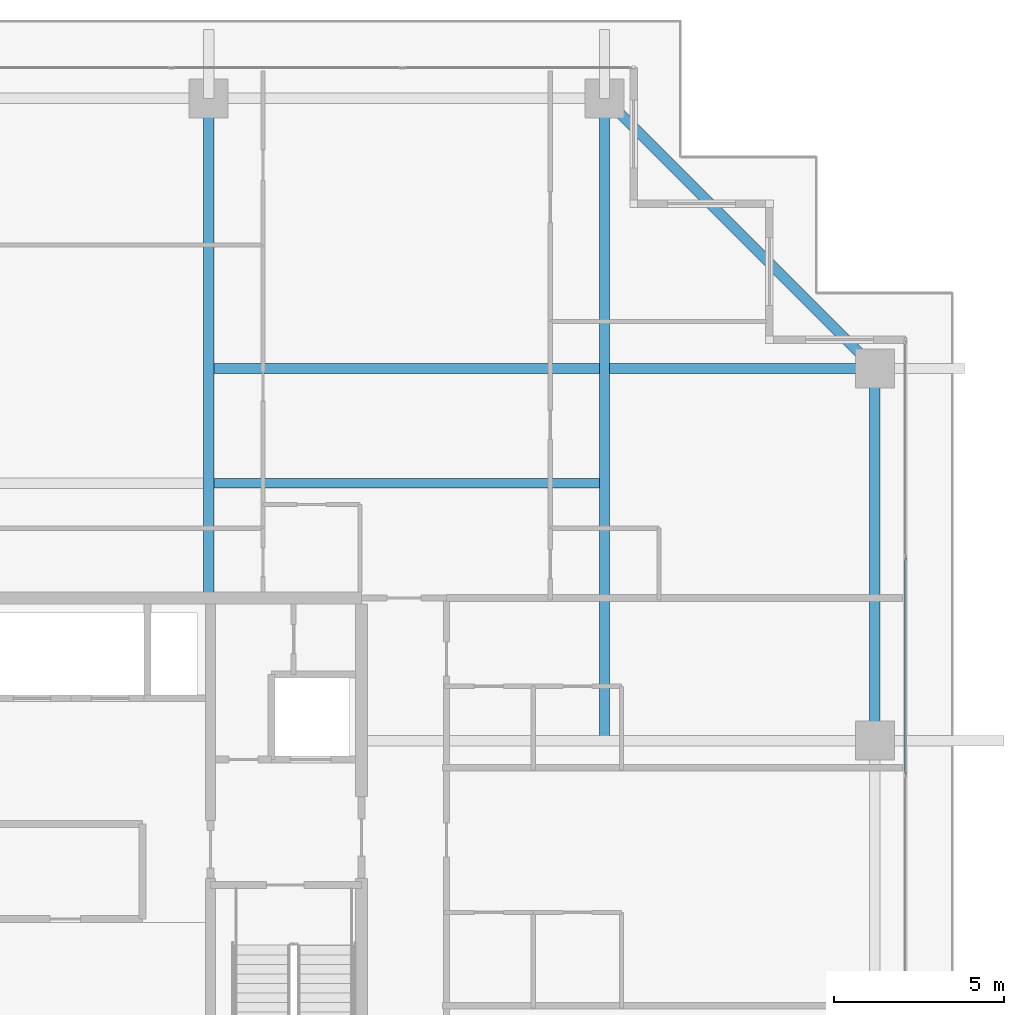
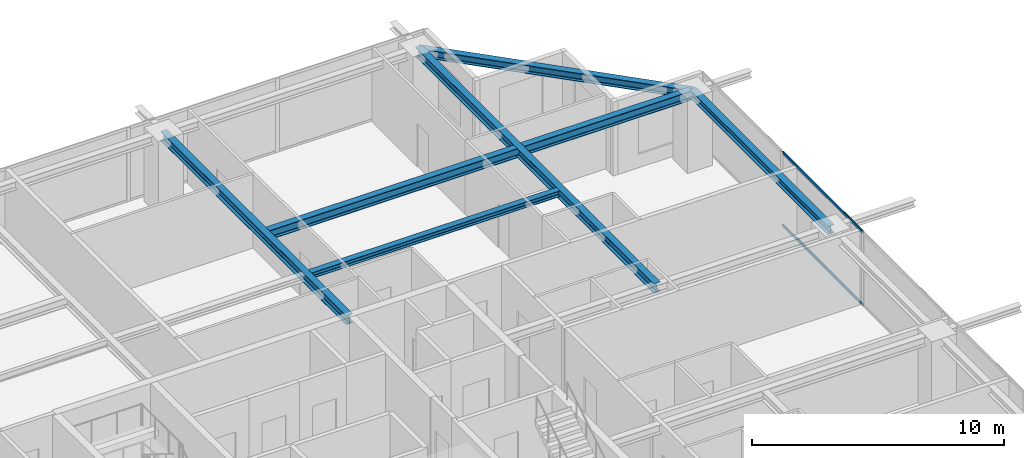
# One storey, part 21 of 36: 6 beams, 2 members, 1 element without a shape of its own.
"""IFC4 building model written with IfcOpenShell, lengths in metres."""

from ifc_helpers import new_model, si_unit, direction, frame, origin, origin_2d, place, context, subcontext, project, spatial, hollow_rectangle, i_section, extrude, source, transform, mapped, material, layer, layer_set, material_profile, profile_set, type_object, element, aggregate, save


model = new_model("IFC4")

# Units and contexts
model_context = context("Model", 3, precision=1e-05, world=origin(), true_north=direction((0.0, 1.0)))
body_context = subcontext(model_context, "Body", "Model", "MODEL_VIEW")
ifc_project = project(units=[si_unit("LENGTHUNIT", "METRE"), si_unit("AREAUNIT", "SQUARE_METRE"), si_unit("VOLUMEUNIT", "CUBIC_METRE"), si_unit("PLANEANGLEUNIT", "RADIAN"), si_unit("MASSUNIT", "GRAM", prefix="KILO")], contexts=[model_context])

# Site, building, storey
site_placement = place(None, origin())
site = spatial("IfcSite", under=ifc_project, at=site_placement, CompositionType="ELEMENT")
building_placement = place(site_placement, origin())
building = spatial("IfcBuilding", under=site, at=building_placement, Name="Serunith Strait Residences", CompositionType="ELEMENT")
storey_placement = place(building_placement, frame((0.0, 0.0, 256.64990234375)))
storey = spatial("IfcBuildingStorey", under=building, at=storey_placement, Name="L64", CompositionType="ELEMENT", Elevation=256.64990234375)

# Beams
ifc_material_1 = material(Name="Steel S355J2", Category="steel")
ifc_material_profile_1 = material_profile(ifc_material_1, i_section(OverallWidth=0.300048828125, OverallDepth=0.449951171875, WebThickness=0.013916015625, FlangeThickness=0.02587890625, FilletRadius=0.027099609375, at=origin_2d()), Name="HEB 450")
ifc_profile_set_1 = profile_set([ifc_material_profile_1], Name="Steel S355J2")
beam_type_1 = type_object("IfcBeamType", Name="BM-HEB450", PredefinedType="BEAM", material=ifc_profile_set_1)
shared_shape_1 = source(origin(), body_context, "Body", "SweptSolid", [
    extrude(i_section(OverallWidth=0.300048828125, OverallDepth=0.449951171875, WebThickness=0.013916015625, FlangeThickness=0.02587890625, FilletRadius=0.027099609375, at=origin_2d()), origin(), (0.0, 0.0, 1.0), 14.699951171875),
])
beam_1_placement = place(storey_placement, frame((36.89990234375, 33.60009765625, 3.362060546875), z_axis=(0.0, 1.0, 0.0), x_axis=(-1.0, 0.0, 0.0)))
element("IfcBeam", 1, at=beam_1_placement, inside=storey, type_object=beam_type_1, Name="L64 Primary Floor Girder TC-N3", PredefinedType="BEAM", context=body_context, shape_type="MappedRepresentation", body=[
    mapped(shared_shape_1, transform((0.0, 0.0, 0.0), scale=1.0)),
])
shared_shape_2 = source(origin(), body_context, "Body", "SweptSolid", [
    extrude(i_section(OverallWidth=0.300048828125, OverallDepth=0.449951171875, WebThickness=0.013916015625, FlangeThickness=0.02587890625, FilletRadius=0.027099609375, at=origin_2d()), origin(), (0.0, 0.0, 1.0), 18.900146484375),
])
beam_2_placement = place(storey_placement, frame((48.550048828125, 29.39990234375, 3.362060546875), z_axis=(0.0, 1.0, 0.0), x_axis=(-1.0, 0.0, 0.0)))
element("IfcBeam", 2, at=beam_2_placement, inside=storey, type_object=beam_type_1, Name="L64 Orthogonal Corner Girder TC-N4", PredefinedType="BEAM", context=body_context, shape_type="MappedRepresentation", body=[
    mapped(shared_shape_2, transform((0.0, 0.0, 0.0), scale=1.0)),
])
shared_shape_3 = source(origin(), body_context, "Body", "SweptSolid", [
    extrude(i_section(OverallWidth=0.300048828125, OverallDepth=0.449951171875, WebThickness=0.013916015625, FlangeThickness=0.02587890625, FilletRadius=0.027099609375, at=origin_2d()), origin(), (0.0, 0.0, 1.0), 19.60009765625),
])
beam_3_placement = place(storey_placement, frame((36.89990234375, 40.35009765625, 3.362060546875), z_axis=(1.0, 0.0, 0.0), x_axis=(0.0, 1.0, 0.0)))
element("IfcBeam", 3, at=beam_3_placement, inside=storey, type_object=beam_type_1, Name="L64 Orthogonal Corner Girder TC-E4", PredefinedType="BEAM", context=body_context, shape_type="MappedRepresentation", body=[
    mapped(shared_shape_3, transform((0.0, 0.0, 0.0), scale=1.0)),
])
ifc_material_profile_2 = material_profile(ifc_material_1, i_section(OverallWidth=0.300048828125, OverallDepth=0.39990234375, WebThickness=0.013427734375, FlangeThickness=0.02392578125, FilletRadius=0.027099609375, at=origin_2d()), Name="HEB 400")
ifc_profile_set_2 = profile_set([ifc_material_profile_2], Name="Steel S355J2")
beam_type_2 = type_object("IfcBeamType", Name="BM-HEB400", PredefinedType="BEAM", material=ifc_profile_set_2)
shared_shape_4 = source(origin(), body_context, "Body", "SweptSolid", [
    extrude(i_section(OverallWidth=0.300048828125, OverallDepth=0.39990234375, WebThickness=0.013427734375, FlangeThickness=0.02392578125, FilletRadius=0.027099609375, at=origin_2d()), origin(), (0.0, 0.0, 1.0), 11.242919921875),
])
beam_4_placement = place(storey_placement, frame((56.5, 40.35009765625, 3.357177734375), z_axis=(-0.707106781187, 0.707106781187, 0.0), x_axis=(-0.707106781187, -0.707106781187, 0.0)))
element("IfcBeam", 4, at=beam_4_placement, inside=storey, type_object=beam_type_2, Name="L64 Perimeter Ring Beam 08", PredefinedType="BEAM", context=body_context, shape_type="MappedRepresentation", body=[
    mapped(shared_shape_4, transform((0.0, 0.0, 0.0), scale=1.0)),
])
shared_shape_5 = source(origin(), body_context, "Body", "SweptSolid", [
    extrude(i_section(OverallWidth=0.300048828125, OverallDepth=0.39990234375, WebThickness=0.013427734375, FlangeThickness=0.02392578125, FilletRadius=0.027099609375, at=origin_2d()), origin(), (0.0, 0.0, 1.0), 10.9501953125),
])
beam_5_placement = place(storey_placement, frame((56.5, 29.39990234375, 3.38720703125), z_axis=(0.0, 1.0, 0.0), x_axis=(-1.0, 0.0, 0.0)))
element("IfcBeam", 5, at=beam_5_placement, inside=storey, type_object=beam_type_2, Name="L64 Perimeter Ring Beam 07", PredefinedType="BEAM", context=body_context, shape_type="MappedRepresentation", body=[
    mapped(shared_shape_5, transform((0.0, 0.0, 0.0), scale=1.0)),
])
ifc_material_profile_3 = material_profile(ifc_material_1, i_section(OverallWidth=0.280029296875, OverallDepth=0.280029296875, WebThickness=0.010498046875, FlangeThickness=0.01806640625, FilletRadius=0.02392578125, at=origin_2d()), Name="HEB 280")
ifc_profile_set_3 = profile_set([ifc_material_profile_3], Name="Steel S355J2")
beam_type_3 = type_object("IfcBeamType", Name="BM-HEB280", PredefinedType="JOIST", material=ifc_profile_set_3)
shared_shape_6 = source(origin(), body_context, "Body", "SweptSolid", [
    extrude(i_section(OverallWidth=0.280029296875, OverallDepth=0.280029296875, WebThickness=0.010498046875, FlangeThickness=0.01806640625, FilletRadius=0.02392578125, at=origin_2d()), origin(), (0.0, 0.0, 1.0), 11.349853515625),
])
beam_6_placement = place(storey_placement, frame((37.050048828125, 36.97509765625, 3.447021484375), z_axis=(1.0, 0.0, 0.0), x_axis=(0.0, 1.0, 0.0)))
element("IfcBeam", 6, at=beam_6_placement, inside=storey, type_object=beam_type_3, Name="L64 Composite Floor Joist 06", PredefinedType="JOIST", context=body_context, shape_type="MappedRepresentation", body=[
    mapped(shared_shape_6, transform((0.0, 0.0, 0.0), scale=1.0)),
])

# Curtain wall, members
ifc_material_2 = material(Name="Pale-Champagne Anodised Aluminium", Category="aluminium")
ifc_layer = layer(ifc_material_2, 0.199951171875, Name="Pale-Champagne Anodised Aluminium")
ifc_layer_set = layer_set([ifc_layer], Name="Pale-Champagne Anodised Aluminium")
curtain_wall_type = type_object("IfcCurtainWallType", Name="CW-SYS4", PredefinedType="NOTDEFINED", material=ifc_layer_set)
curtain_wall_placement = place(storey_placement, origin())
curtain_wall = element("IfcCurtainWall", 7, at=curtain_wall_placement, inside=storey, type_object=curtain_wall_type, Name="L64 E Unitised Fritted Curtain Wall", PredefinedType="NOTDEFINED")
ifc_material_profile_4 = material_profile(ifc_material_2, hollow_rectangle(XDim=0.06005859375, YDim=0.139892578125, WallThickness=0.00341796875, InnerFilletRadius=0.00537109375, OuterFilletRadius=0.0087890625, at=origin_2d()), Name="ALU 140x60x3.5")
ifc_profile_set_4 = profile_set([ifc_material_profile_4], Name="Pale-Champagne Anodised Aluminium")
member_type = type_object("IfcMemberType", Name="CW-SYS4-TRAN", PredefinedType="USERDEFINED", material=ifc_profile_set_4)
shared_shape_7 = source(origin(), body_context, "Body", "SweptSolid", [
    extrude(hollow_rectangle(XDim=0.06005859375, YDim=0.139892578125, WallThickness=0.00341796875, InnerFilletRadius=0.00537109375, OuterFilletRadius=0.0087890625, at=origin_2d()), origin(), (0.0, 0.0, 1.0), 6.3349609375),
])
member_1_placement = place(storey_placement, frame((57.39990234375, 28.4326171875, 0.030029296875), z_axis=(0.0, 1.0, 0.0), x_axis=(-1.0, 0.0, 0.0)))
member_1 = element("IfcMember", 8, at=member_1_placement, type_object=member_type, Name="CW-4 transom 4.1", ObjectType="TRANSOM", PredefinedType="USERDEFINED", context=body_context, shape_type="MappedRepresentation", body=[
    mapped(shared_shape_7, transform((0.0, 0.0, 0.0), scale=1.0)),
])
member_2_placement = place(storey_placement, frame((57.39990234375, 28.4326171875, 3.545166015625), z_axis=(0.0, 1.0, 0.0), x_axis=(-1.0, 0.0, 0.0)))
member_2 = element("IfcMember", 9, at=member_2_placement, type_object=member_type, Name="CW-4 transom 4.2", ObjectType="TRANSOM", PredefinedType="USERDEFINED", context=body_context, shape_type="MappedRepresentation", body=[
    mapped(shared_shape_7, transform((0.0, 0.0, 0.0), scale=1.0)),
])
aggregate(curtain_wall, [member_1, member_2])

save(model, "model.ifc")
